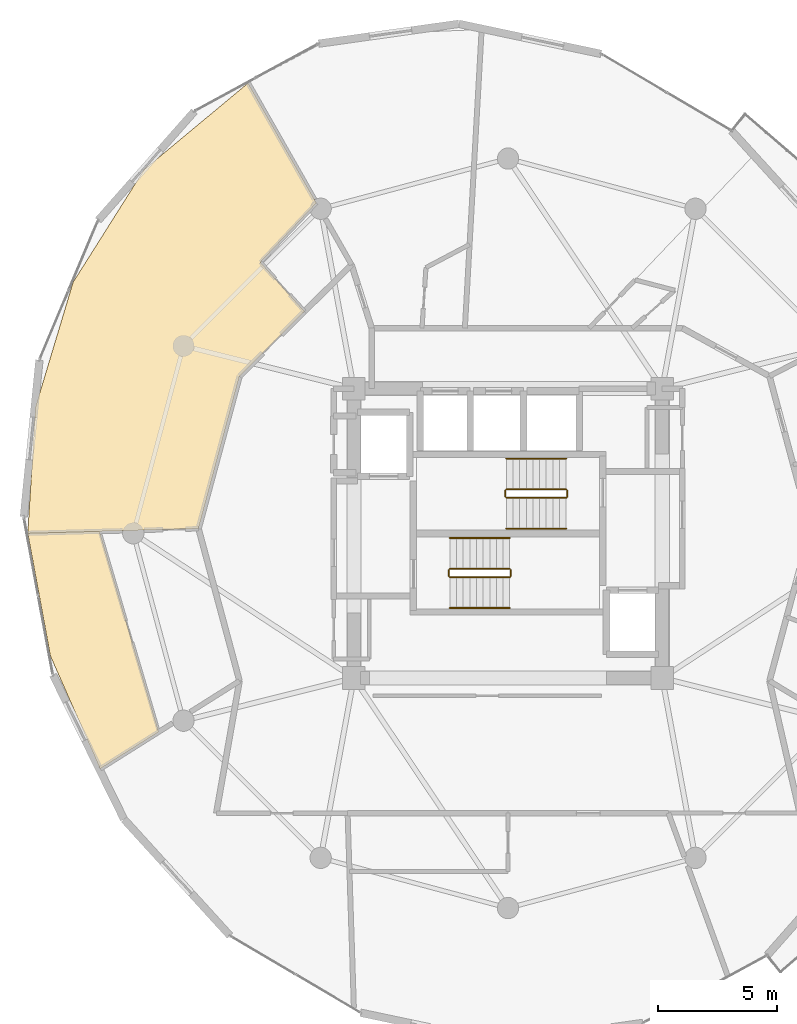
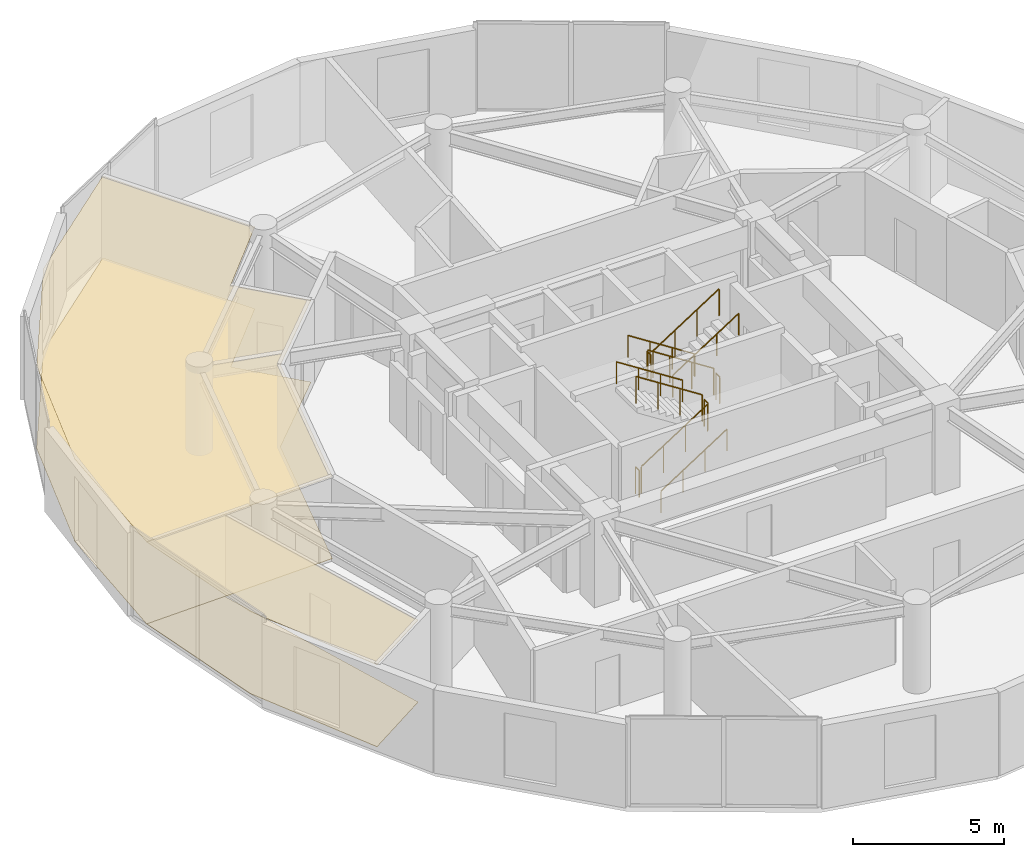
# One storey, part 20 of 21: 12 railings, 4 coverings.
"""IFC4 building model written with IfcOpenShell, lengths in metres."""

from ifc_helpers import new_model, si_unit, direction, frame, origin, origin_2d, place, context, subcontext, project, spatial, polyline, circle, outline, extrude, material, layer, layer_set, type_object, element, save


model = new_model("IFC4")

# Units and contexts
model_context = context("Model", 3, precision=1e-05, world=origin(), true_north=direction((0.0, 1.0)))
body_context = subcontext(model_context, "Body", "Model", "MODEL_VIEW")
ifc_project = project(units=[si_unit("LENGTHUNIT", "METRE"), si_unit("AREAUNIT", "SQUARE_METRE"), si_unit("VOLUMEUNIT", "CUBIC_METRE"), si_unit("PLANEANGLEUNIT", "RADIAN"), si_unit("MASSUNIT", "GRAM", prefix="KILO")], contexts=[model_context])

# Site, building, storey
site_placement = place(None, origin())
site = spatial("IfcSite", under=ifc_project, at=site_placement, CompositionType="ELEMENT")
building_placement = place(site_placement, origin())
building = spatial("IfcBuilding", under=site, at=building_placement, Name="Solvirekh Grand Hotel", CompositionType="ELEMENT")
storey_placement = place(building_placement, frame((0.0, 0.0, 223.60009765625)))
storey = spatial("IfcBuildingStorey", under=building, at=storey_placement, Name="L58", CompositionType="ELEMENT", Elevation=223.60009765625)

# Coverings
ifc_material_1 = material(Name="Acoustic Mineral Ceiling Tile")
ifc_layer_1 = layer(ifc_material_1, 0.02490234375)
ifc_layer_set_1 = layer_set([ifc_layer_1], Name="Acoustic Mineral Ceiling Tile")
covering_type_1 = type_object("IfcCoveringType", Name="Cov_Ceiling_Acoustic", PredefinedType="CEILING", material=ifc_layer_set_1)
covering_1_placement = place(storey_placement, frame((0.0, 0.0, 3.309814453125)))
element("IfcCovering", 1, at=covering_1_placement, inside=storey, type_object=covering_type_1, Name="L58 Diplomatic Suite 6003 Living Room acoustic ceiling", PredefinedType="CEILING", context=body_context, shape_type="SweptSolid", body=[
    extrude(outline(polyline([(-10.444091796875, 11.427978515625), (-8.08203125, 13.929931640625), (-10.958984375, 18.98193359375), (-15.337890625, 15.337890625), (-18.3369140625, 10.5869140625), (-19.9169921875, 5.3369140625), (-20.248046875, 0.0), (-13.050048828125, 0.199951171875), (-11.322021484375, 6.625), (-8.5830078125, 9.35302734375), (-10.444091796875, 11.427978515625)])), origin(), (0.0, 0.0, 1.0), 0.01806640625),
])
covering_2_placement = place(storey_placement, frame((0.0, 0.0, 3.309814453125)))
element("IfcCovering", 2, at=covering_2_placement, inside=storey, type_object=covering_type_1, Name="L58 Diplomatic Suite 6003 Master Bedroom acoustic ceiling", PredefinedType="CEILING", context=body_context, shape_type="SweptSolid", body=[
    extrude(outline(polyline([(-20.248046875, 0.0), (-19.2939453125, -5.169921875), (-17.196044921875, -9.927978515625), (-14.72900390625, -8.373046875), (-17.22509765625, 0.083984375), (-20.248046875, 0.0)])), origin(), (0.0, 0.0, 1.0), 0.01806640625),
])
ifc_material_2 = material(Name="Porcelain Stoneware Flooring", Category="masonry")
ifc_layer_2 = layer(ifc_material_2, 0.030029296875)
ifc_layer_set_2 = layer_set([ifc_layer_2], Name="Porcelain Stoneware Flooring")
covering_type_2 = type_object("IfcCoveringType", Name="Cov_Floor_Stone", PredefinedType="FLOORING", material=ifc_layer_set_2)
covering_3_placement = place(storey_placement, origin())
element("IfcCovering", 3, at=covering_3_placement, inside=storey, type_object=covering_type_2, Name="L58 Diplomatic Suite 6003 Living Room polished granite flooring", PredefinedType="FLOORING", context=body_context, shape_type="SweptSolid", body=[
    extrude(outline(polyline([(-10.444091796875, 11.427978515625), (-8.08203125, 13.929931640625), (-10.958984375, 18.98193359375), (-15.337890625, 15.337890625), (-18.3369140625, 10.5869140625), (-19.9169921875, 5.3369140625), (-20.248046875, 0.0), (-13.050048828125, 0.199951171875), (-11.322021484375, 6.625), (-8.5830078125, 9.35302734375), (-10.444091796875, 11.427978515625)])), origin(), (0.0, 0.0, 1.0), 0.02001953125),
])
covering_4_placement = place(storey_placement, origin())
element("IfcCovering", 4, at=covering_4_placement, inside=storey, type_object=covering_type_2, Name="L58 Diplomatic Suite 6003 Master Bedroom polished granite flooring", PredefinedType="FLOORING", context=body_context, shape_type="SweptSolid", body=[
    extrude(outline(polyline([(-20.248046875, 0.0), (-19.2939453125, -5.169921875), (-17.196044921875, -9.927978515625), (-14.72900390625, -8.373046875), (-17.22509765625, 0.083984375), (-20.248046875, 0.0)])), origin(), (0.0, 0.0, 1.0), 0.02001953125),
])

# Railings
ifc_material_3 = material(Name="Steel S355", Category="steel")
railing_type_1 = type_object("IfcRailingType", Name="Guard_Stair_1100", PredefinedType="GUARDRAIL", material=ifc_material_3)
railing_1_placement = place(storey_placement, frame((-2.449951171875, -1.85009765625, 0.179931640625)))
element("IfcRailing", 5, at=railing_1_placement, inside=storey, type_object=railing_type_1, Name="L58 ST-1 stair guard 1", PredefinedType="GUARDRAIL", context=body_context, shape_type="SweptSolid", body=[
    extrude(circle(Radius=0.02392578125, at=origin_2d()), frame((0.0, 0.0, 1.076171875), z_axis=(0.841199657755, 0.0, 0.540724639528), x_axis=(0.0, 1.0, 0.0)), (0.0, 0.0, 1.0), 2.995849609375),
    extrude(circle(Radius=0.02099609375, at=origin_2d()), origin(), (0.0, 0.0, 1.0), 1.052001953125),
    extrude(circle(Radius=0.02099609375, at=origin_2d()), frame((0.840087890625, 0.0, 0.5400390625)), (0.0, 0.0, 1.0), 1.052001953125),
    extrude(circle(Radius=0.02099609375, at=origin_2d()), frame((1.679931640625, 0.0, 1.079833984375)), (0.0, 0.0, 1.0), 1.052001953125),
    extrude(circle(Radius=0.02099609375, at=origin_2d()), frame((2.52001953125, 0.0, 1.619873046875)), (0.0, 0.0, 1.0), 1.052001953125),
])
railing_2_placement = place(storey_placement, frame((0.1201171875, -1.800048828125, 1.7998046875)))
element("IfcRailing", 6, at=railing_2_placement, inside=storey, type_object=railing_type_1, Name="L58 ST-1 stair guard 2", PredefinedType="GUARDRAIL", context=body_context, shape_type="SweptSolid", body=[
    extrude(circle(Radius=0.02392578125, at=origin_2d()), frame((0.0, 0.0, 1.076171875), z_axis=(0.0, 1.0, 0.0), x_axis=(-1.0, 0.0, 0.0)), (0.0, 0.0, 1.0), 0.25),
    extrude(circle(Radius=0.02099609375, at=origin_2d()), origin(), (0.0, 0.0, 1.0), 1.052001953125),
    extrude(circle(Radius=0.02099609375, at=origin_2d()), frame((0.0, 0.25, 0.0)), (0.0, 0.0, 1.0), 1.052001953125),
])
railing_3_placement = place(storey_placement, frame((0.070068359375, -1.5, 1.97998046875)))
element("IfcRailing", 7, at=railing_3_placement, inside=storey, type_object=railing_type_1, Name="L58 ST-1 stair guard 3", PredefinedType="GUARDRAIL", context=body_context, shape_type="SweptSolid", body=[
    extrude(circle(Radius=0.02392578125, at=origin_2d()), frame((0.0, 0.0, 1.076171875), z_axis=(-0.841199657755, 0.0, 0.540724639528), x_axis=(0.0, -1.0, 0.0)), (0.0, 0.0, 1.0), 2.995849609375),
    extrude(circle(Radius=0.02099609375, at=origin_2d()), origin(), (0.0, 0.0, 1.0), 1.052001953125),
    extrude(circle(Radius=0.02099609375, at=origin_2d()), frame((-0.840087890625, 0.0, 0.5400390625)), (0.0, 0.0, 1.0), 1.052001953125),
    extrude(circle(Radius=0.02099609375, at=origin_2d()), frame((-1.679931640625, 0.0, 1.079833984375)), (0.0, 0.0, 1.0), 1.052001953125),
    extrude(circle(Radius=0.02099609375, at=origin_2d()), frame((-2.52001953125, 0.0, 1.619873046875)), (0.0, 0.0, 1.0), 1.052001953125),
])
railing_4_placement = place(storey_placement, frame((-2.5, -1.800048828125, 0.0)))
element("IfcRailing", 8, at=railing_4_placement, inside=storey, type_object=railing_type_1, Name="L58 ST-1 stair guard 4", PredefinedType="GUARDRAIL", context=body_context, shape_type="SweptSolid", body=[
    extrude(circle(Radius=0.02392578125, at=origin_2d()), frame((0.0, 0.0, 1.076171875), z_axis=(0.0, 1.0, 0.0), x_axis=(-1.0, 0.0, 0.0)), (0.0, 0.0, 1.0), 0.25),
    extrude(circle(Radius=0.02099609375, at=origin_2d()), origin(), (0.0, 0.0, 1.0), 1.052001953125),
    extrude(circle(Radius=0.02099609375, at=origin_2d()), frame((0.0, 0.25, 0.0)), (0.0, 0.0, 1.0), 1.052001953125),
])
railing_5_placement = place(storey_placement, frame((2.449951171875, 1.85009765625, 0.179931640625)))
element("IfcRailing", 9, at=railing_5_placement, inside=storey, type_object=railing_type_1, Name="L58 ST-2 stair guard 1", PredefinedType="GUARDRAIL", context=body_context, shape_type="SweptSolid", body=[
    extrude(circle(Radius=0.02392578125, at=origin_2d()), frame((0.0, 0.0, 1.076171875), z_axis=(-0.841199657755, 0.0, 0.540724639528), x_axis=(0.0, -1.0, 0.0)), (0.0, 0.0, 1.0), 2.995849609375),
    extrude(circle(Radius=0.02099609375, at=origin_2d()), origin(), (0.0, 0.0, 1.0), 1.052001953125),
    extrude(circle(Radius=0.02099609375, at=origin_2d()), frame((-0.840087890625, 0.0, 0.5400390625)), (0.0, 0.0, 1.0), 1.052001953125),
    extrude(circle(Radius=0.02099609375, at=origin_2d()), frame((-1.679931640625, 0.0, 1.079833984375)), (0.0, 0.0, 1.0), 1.052001953125),
    extrude(circle(Radius=0.02099609375, at=origin_2d()), frame((-2.52001953125, 0.0, 1.619873046875)), (0.0, 0.0, 1.0), 1.052001953125),
])
railing_6_placement = place(storey_placement, frame((-0.1201171875, 1.800048828125, 1.7998046875)))
element("IfcRailing", 10, at=railing_6_placement, inside=storey, type_object=railing_type_1, Name="L58 ST-2 stair guard 2", PredefinedType="GUARDRAIL", context=body_context, shape_type="SweptSolid", body=[
    extrude(circle(Radius=0.02392578125, at=origin_2d()), frame((0.0, 0.0, 1.076171875), z_axis=(0.0, -1.0, 0.0), x_axis=(1.0, 0.0, 0.0)), (0.0, 0.0, 1.0), 0.25),
    extrude(circle(Radius=0.02099609375, at=origin_2d()), origin(), (0.0, 0.0, 1.0), 1.052001953125),
    extrude(circle(Radius=0.02099609375, at=origin_2d()), frame((0.0, -0.25, 0.0)), (0.0, 0.0, 1.0), 1.052001953125),
])
railing_7_placement = place(storey_placement, frame((-0.070068359375, 1.5, 1.97998046875)))
element("IfcRailing", 11, at=railing_7_placement, inside=storey, type_object=railing_type_1, Name="L58 ST-2 stair guard 3", PredefinedType="GUARDRAIL", context=body_context, shape_type="SweptSolid", body=[
    extrude(circle(Radius=0.02392578125, at=origin_2d()), frame((0.0, 0.0, 1.076171875), z_axis=(0.841199657755, 0.0, 0.540724639528), x_axis=(0.0, 1.0, 0.0)), (0.0, 0.0, 1.0), 2.995849609375),
    extrude(circle(Radius=0.02099609375, at=origin_2d()), origin(), (0.0, 0.0, 1.0), 1.052001953125),
    extrude(circle(Radius=0.02099609375, at=origin_2d()), frame((0.840087890625, 0.0, 0.5400390625)), (0.0, 0.0, 1.0), 1.052001953125),
    extrude(circle(Radius=0.02099609375, at=origin_2d()), frame((1.679931640625, 0.0, 1.079833984375)), (0.0, 0.0, 1.0), 1.052001953125),
    extrude(circle(Radius=0.02099609375, at=origin_2d()), frame((2.52001953125, 0.0, 1.619873046875)), (0.0, 0.0, 1.0), 1.052001953125),
])
railing_8_placement = place(storey_placement, frame((2.5, 1.800048828125, 0.0)))
element("IfcRailing", 12, at=railing_8_placement, inside=storey, type_object=railing_type_1, Name="L58 ST-2 stair guard 4", PredefinedType="GUARDRAIL", context=body_context, shape_type="SweptSolid", body=[
    extrude(circle(Radius=0.02392578125, at=origin_2d()), frame((0.0, 0.0, 1.076171875), z_axis=(0.0, -1.0, 0.0), x_axis=(1.0, 0.0, 0.0)), (0.0, 0.0, 1.0), 0.25),
    extrude(circle(Radius=0.02099609375, at=origin_2d()), origin(), (0.0, 0.0, 1.0), 1.052001953125),
    extrude(circle(Radius=0.02099609375, at=origin_2d()), frame((0.0, -0.25, 0.0)), (0.0, 0.0, 1.0), 1.052001953125),
])
ifc_material_4 = material(Name="Anodized Bronze Aluminium 6063-T6", Category="aluminium")
railing_type_2 = type_object("IfcRailingType", Name="Handrail_Wall_900", PredefinedType="HANDRAIL", material=ifc_material_4)
railing_9_placement = place(storey_placement, frame((-2.449951171875, -3.14990234375, 0.179931640625)))
element("IfcRailing", 13, at=railing_9_placement, inside=storey, type_object=railing_type_2, Name="L58 ST-1 stair handrail 1", PredefinedType="HANDRAIL", context=body_context, shape_type="SweptSolid", body=[
    extrude(circle(Radius=0.02392578125, at=origin_2d()), frame((0.0, 0.0, 0.8759765625), z_axis=(0.841199657755, 0.0, 0.540724639528), x_axis=(0.0, 1.0, 0.0)), (0.0, 0.0, 1.0), 2.995849609375),
    extrude(circle(Radius=0.02099609375, at=origin_2d()), origin(), (0.0, 0.0, 1.0), 0.851806640625),
    extrude(circle(Radius=0.02099609375, at=origin_2d()), frame((0.840087890625, 0.0, 0.5400390625)), (0.0, 0.0, 1.0), 0.851806640625),
    extrude(circle(Radius=0.02099609375, at=origin_2d()), frame((1.679931640625, 0.0, 1.079833984375)), (0.0, 0.0, 1.0), 0.851806640625),
    extrude(circle(Radius=0.02099609375, at=origin_2d()), frame((2.52001953125, 0.0, 1.619873046875)), (0.0, 0.0, 1.0), 0.851806640625),
])
for number, where, name in (
    (14, (0.070068359375, -0.199951171875, 1.97998046875), "L58 ST-1 stair handrail 2"),
    (15, (2.449951171875, 3.14990234375, 0.179931640625), "L58 ST-2 stair handrail 1"),
):
    element("IfcRailing", number, at=place(storey_placement, frame(where)), inside=storey, type_object=railing_type_2, Name=name, PredefinedType="HANDRAIL", context=body_context, shape_type="SweptSolid", body=[
        extrude(circle(Radius=0.02392578125, at=origin_2d()), frame((0.0, 0.0, 0.8759765625), z_axis=(-0.841199657755, 0.0, 0.540724639528), x_axis=(0.0, -1.0, 0.0)), (0.0, 0.0, 1.0), 2.995849609375),
        extrude(circle(Radius=0.02099609375, at=origin_2d()), origin(), (0.0, 0.0, 1.0), 0.851806640625),
        extrude(circle(Radius=0.02099609375, at=origin_2d()), frame((-0.840087890625, 0.0, 0.5400390625)), (0.0, 0.0, 1.0), 0.851806640625),
        extrude(circle(Radius=0.02099609375, at=origin_2d()), frame((-1.679931640625, 0.0, 1.079833984375)), (0.0, 0.0, 1.0), 0.851806640625),
        extrude(circle(Radius=0.02099609375, at=origin_2d()), frame((-2.52001953125, 0.0, 1.619873046875)), (0.0, 0.0, 1.0), 0.851806640625),
    ])
railing_10_placement = place(storey_placement, frame((-0.070068359375, 0.199951171875, 1.97998046875)))
element("IfcRailing", 16, at=railing_10_placement, inside=storey, type_object=railing_type_2, Name="L58 ST-2 stair handrail 2", PredefinedType="HANDRAIL", context=body_context, shape_type="SweptSolid", body=[
    extrude(circle(Radius=0.02392578125, at=origin_2d()), frame((0.0, 0.0, 0.8759765625), z_axis=(0.841199657755, 0.0, 0.540724639528), x_axis=(0.0, 1.0, 0.0)), (0.0, 0.0, 1.0), 2.995849609375),
    extrude(circle(Radius=0.02099609375, at=origin_2d()), origin(), (0.0, 0.0, 1.0), 0.851806640625),
    extrude(circle(Radius=0.02099609375, at=origin_2d()), frame((0.840087890625, 0.0, 0.5400390625)), (0.0, 0.0, 1.0), 0.851806640625),
    extrude(circle(Radius=0.02099609375, at=origin_2d()), frame((1.679931640625, 0.0, 1.079833984375)), (0.0, 0.0, 1.0), 0.851806640625),
    extrude(circle(Radius=0.02099609375, at=origin_2d()), frame((2.52001953125, 0.0, 1.619873046875)), (0.0, 0.0, 1.0), 0.851806640625),
])

save(model, "model.ifc")
